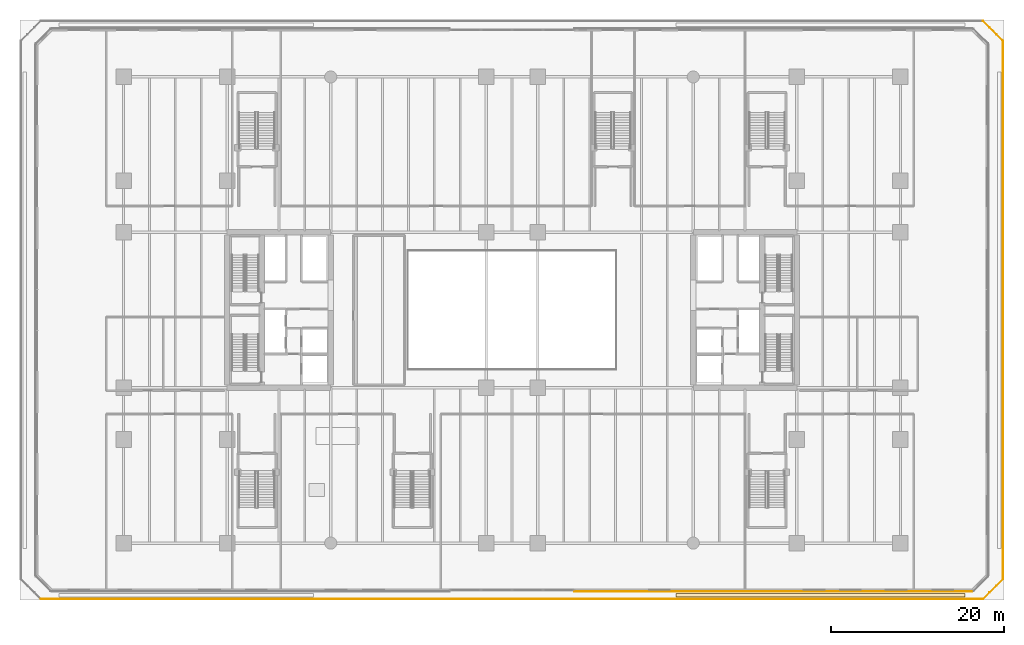
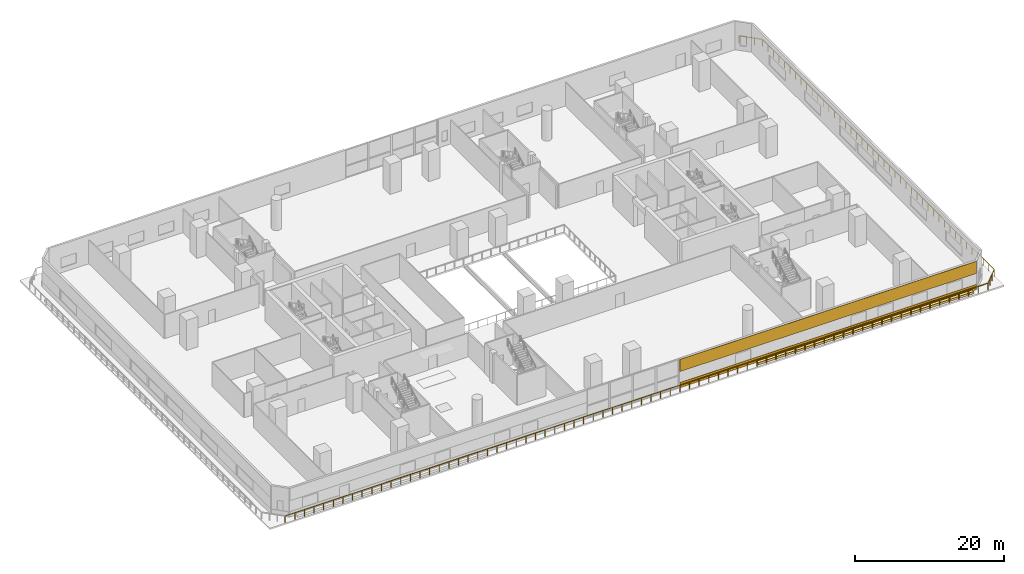
# One storey, part 21 of 24: 3 coverings, 1 railing.
"""IFC4 building model written with IfcOpenShell, lengths in metres."""

from ifc_helpers import new_model, si_unit, direction, frame, origin, origin_2d, place, context, subcontext, project, spatial, polyline, rectangle, outline, extrude, material, layer, layer_set, type_object, element, save


model = new_model("IFC4")

# Units and contexts
model_context = context("Model", 3, precision=1e-05, world=origin(), true_north=direction((0.0, 1.0)))
body_context = subcontext(model_context, "Body", "Model", "MODEL_VIEW")
ifc_project = project(units=[si_unit("LENGTHUNIT", "METRE"), si_unit("AREAUNIT", "SQUARE_METRE"), si_unit("VOLUMEUNIT", "CUBIC_METRE"), si_unit("PLANEANGLEUNIT", "RADIAN"), si_unit("MASSUNIT", "GRAM", prefix="KILO")], contexts=[model_context])

# Site, building, storey
site_placement = place(None, origin())
site = spatial("IfcSite", under=ifc_project, at=site_placement, CompositionType="ELEMENT")
building_placement = place(site_placement, origin())
building = spatial("IfcBuilding", under=site, at=building_placement, Name="Tanjung Sevakor Pilgrim Tower", CompositionType="ELEMENT")
storey_placement = place(building_placement, frame((0.0, 0.0, 4.949951171875)))
storey = spatial("IfcBuildingStorey", under=building, at=storey_placement, Name="L02", CompositionType="ELEMENT", Elevation=4.949951171875)

# Coverings
ifc_material_1 = material(Name="Reconstructed Limestone Cladding", Category="masonry")
ifc_layer_1 = layer(ifc_material_1, 0.044921875)
ifc_layer_set_1 = layer_set([ifc_layer_1], Name="COV-CLAD-LIMESTONE")
covering_type_1 = type_object("IfcCoveringType", Name="COV-CLAD-LIMESTONE", PredefinedType="CLADDING", material=ifc_layer_set_1)
covering_1_placement = place(storey_placement, frame((87.26904296875, 0.9775390625, 0.009765625), z_axis=(0.0, 0.0, 1.0), x_axis=(1.0, 0.0, 0.0)))
element("IfcCovering", 1, at=covering_1_placement, inside=storey, type_object=covering_type_1, Name="L02 Warm Limestone Sill Spandrel EW-L02-S2-1", PredefinedType="CLADDING", context=body_context, shape_type="SweptSolid", body=[
    extrude(rectangle(XDim=46.057861328125, YDim=0.044921875, at=origin_2d()), origin(), (0.0, 0.0, 1.0), 0.840087890625),
])
covering_2_placement = place(storey_placement, frame((87.26904296875, 0.9775390625, 2.66015625), z_axis=(0.0, 0.0, 1.0), x_axis=(1.0, 0.0, 0.0)))
element("IfcCovering", 2, at=covering_2_placement, inside=storey, type_object=covering_type_1, Name="L02 Warm Limestone Cornice Spandrel EW-L02-S2", PredefinedType="CLADDING", context=body_context, shape_type="SweptSolid", body=[
    extrude(rectangle(XDim=46.097900390625, YDim=0.044921875, at=origin_2d()), origin(), (0.0, 0.0, 1.0), 2.0),
])
ifc_material_2 = material(Name="Vegetated Modular Planter Assembly", Category="organic")
ifc_layer_2 = layer(ifc_material_2, 0.35009765625)
ifc_layer_set_2 = layer_set([ifc_layer_2], Name="COV-GRN-TROUGH")
covering_type_2 = type_object("IfcCoveringType", Name="COV-GRN-TROUGH", PredefinedType="CLADDING", material=ifc_layer_set_2)
covering_3_placement = place(storey_placement, origin())
element("IfcCovering", 3, at=covering_3_placement, inside=storey, type_object=covering_type_2, Name="L02 Planted Landscape Hedge Trough PGRN-L02-SE", PredefinedType="CLADDING", context=body_context, shape_type="SweptSolid", body=[
    extrude(outline(polyline([(76.0, 0.330078125), (109.5, 0.330078125), (109.5, 0.77001953125), (76.0, 0.77001953125), (76.0, 0.330078125)])), origin(), (0.0, 0.0, 1.0), 0.35009765625),
])

# Railing
ifc_material_3 = material(Name="Steel S355J2", Category="steel")
railing_type = type_object("IfcRailingType", Name="RL-EXT-GUARD", PredefinedType="GUARDRAIL", material=ifc_material_3)
railing_placement = place(storey_placement, frame((2.44140625, 0.10009765625, 0.0)))
element("IfcRailing", 4, at=railing_placement, inside=storey, type_object=railing_type, Name="L02 Terrace Perimeter Guardrail GR-PODTER-L02-1", PredefinedType="GUARDRAIL", context=body_context, shape_type="SweptSolid", body=[
    extrude(rectangle(XDim=0.0479, YDim=0.0479), frame((0.0, 0.0, 1.1259765625), z_axis=(1.0, 0.0, 0.0), x_axis=(0.0, 1.0, 0.0)), (0.0, 0.0, 1.0), 109.1171875),
    extrude(rectangle(XDim=0.0479, YDim=0.0479), frame((109.1171875, 0.0, 1.1259765625), z_axis=(0.707106781187, 0.707106781187, 0.0), x_axis=(-0.707106781187, 0.707106781187, 0.0)), (0.0, 0.0, 1.0), 3.31103515625),
    extrude(rectangle(XDim=0.0479, YDim=0.0479), frame((111.45849609375, 2.34130859375, 1.1259765625), z_axis=(0.0, 1.0, 0.0), x_axis=(-1.0, 0.0, 0.0)), (0.0, 0.0, 1.0), 62.317138671875),
    extrude(rectangle(XDim=0.0479, YDim=0.0479), frame((111.45849609375, 64.658447265625, 1.1259765625), z_axis=(-0.707069915266, 0.707143645185, 0.0), x_axis=(-0.707143645185, -0.707069915266, 0.0)), (0.0, 0.0, 1.0), 3.311279296875),
    extrude(rectangle(XDim=0.042, YDim=0.042), origin(), (0.0, 0.0, 1.0), 1.101806640625),
    extrude(rectangle(XDim=0.042, YDim=0.042), frame((1.494873046875, 0.0, 0.0)), (0.0, 0.0, 1.0), 1.101806640625),
    extrude(rectangle(XDim=0.042, YDim=0.042), frame((2.989501953125, 0.0, 0.0)), (0.0, 0.0, 1.0), 1.101806640625),
    extrude(rectangle(XDim=0.042, YDim=0.042), frame((4.484375, 0.0, 0.0)), (0.0, 0.0, 1.0), 1.101806640625),
    extrude(rectangle(XDim=0.042, YDim=0.042), frame((5.97900390625, 0.0, 0.0)), (0.0, 0.0, 1.0), 1.101806640625),
    extrude(rectangle(XDim=0.042, YDim=0.042), frame((7.473876953125, 0.0, 0.0)), (0.0, 0.0, 1.0), 1.101806640625),
    extrude(rectangle(XDim=0.042, YDim=0.042), frame((8.968505859375, 0.0, 0.0)), (0.0, 0.0, 1.0), 1.101806640625),
    extrude(rectangle(XDim=0.042, YDim=0.042), frame((10.46337890625, 0.0, 0.0)), (0.0, 0.0, 1.0), 1.101806640625),
    extrude(rectangle(XDim=0.042, YDim=0.042), frame((11.9580078125, 0.0, 0.0)), (0.0, 0.0, 1.0), 1.101806640625),
    extrude(rectangle(XDim=0.042, YDim=0.042), frame((13.452880859375, 0.0, 0.0)), (0.0, 0.0, 1.0), 1.101806640625),
    extrude(rectangle(XDim=0.042, YDim=0.042), frame((14.947509765625, 0.0, 0.0)), (0.0, 0.0, 1.0), 1.101806640625),
    extrude(rectangle(XDim=0.042, YDim=0.042), frame((16.4423828125, 0.0, 0.0)), (0.0, 0.0, 1.0), 1.101806640625),
    extrude(rectangle(XDim=0.042, YDim=0.042), frame((17.93701171875, 0.0, 0.0)), (0.0, 0.0, 1.0), 1.101806640625),
    extrude(rectangle(XDim=0.042, YDim=0.042), frame((19.431884765625, 0.0, 0.0)), (0.0, 0.0, 1.0), 1.101806640625),
    extrude(rectangle(XDim=0.042, YDim=0.042), frame((20.926513671875, 0.0, 0.0)), (0.0, 0.0, 1.0), 1.101806640625),
    extrude(rectangle(XDim=0.042, YDim=0.042), frame((22.42138671875, 0.0, 0.0)), (0.0, 0.0, 1.0), 1.101806640625),
    extrude(rectangle(XDim=0.042, YDim=0.042), frame((23.916015625, 0.0, 0.0)), (0.0, 0.0, 1.0), 1.101806640625),
    extrude(rectangle(XDim=0.042, YDim=0.042), frame((25.410888671875, 0.0, 0.0)), (0.0, 0.0, 1.0), 1.101806640625),
    extrude(rectangle(XDim=0.042, YDim=0.042), frame((26.905517578125, 0.0, 0.0)), (0.0, 0.0, 1.0), 1.101806640625),
    extrude(rectangle(XDim=0.042, YDim=0.042), frame((28.400390625, 0.0, 0.0)), (0.0, 0.0, 1.0), 1.101806640625),
    extrude(rectangle(XDim=0.042, YDim=0.042), frame((29.89501953125, 0.0, 0.0)), (0.0, 0.0, 1.0), 1.101806640625),
    extrude(rectangle(XDim=0.042, YDim=0.042), frame((31.389892578125, 0.0, 0.0)), (0.0, 0.0, 1.0), 1.101806640625),
    extrude(rectangle(XDim=0.042, YDim=0.042), frame((32.884521484375, 0.0, 0.0)), (0.0, 0.0, 1.0), 1.101806640625),
    extrude(rectangle(XDim=0.042, YDim=0.042), frame((34.37939453125, 0.0, 0.0)), (0.0, 0.0, 1.0), 1.101806640625),
    extrude(rectangle(XDim=0.042, YDim=0.042), frame((35.8740234375, 0.0, 0.0)), (0.0, 0.0, 1.0), 1.101806640625),
    extrude(rectangle(XDim=0.042, YDim=0.042), frame((37.368896484375, 0.0, 0.0)), (0.0, 0.0, 1.0), 1.101806640625),
    extrude(rectangle(XDim=0.042, YDim=0.042), frame((38.86376953125, 0.0, 0.0)), (0.0, 0.0, 1.0), 1.101806640625),
    extrude(rectangle(XDim=0.042, YDim=0.042), frame((40.3583984375, 0.0, 0.0)), (0.0, 0.0, 1.0), 1.101806640625),
    extrude(rectangle(XDim=0.042, YDim=0.042), frame((41.853271484375, 0.0, 0.0)), (0.0, 0.0, 1.0), 1.101806640625),
    extrude(rectangle(XDim=0.042, YDim=0.042), frame((43.347900390625, 0.0, 0.0)), (0.0, 0.0, 1.0), 1.101806640625),
    extrude(rectangle(XDim=0.042, YDim=0.042), frame((44.8427734375, 0.0, 0.0)), (0.0, 0.0, 1.0), 1.101806640625),
    extrude(rectangle(XDim=0.042, YDim=0.042), frame((46.33740234375, 0.0, 0.0)), (0.0, 0.0, 1.0), 1.101806640625),
    extrude(rectangle(XDim=0.042, YDim=0.042), frame((47.832275390625, 0.0, 0.0)), (0.0, 0.0, 1.0), 1.101806640625),
    extrude(rectangle(XDim=0.042, YDim=0.042), frame((49.326904296875, 0.0, 0.0)), (0.0, 0.0, 1.0), 1.101806640625),
    extrude(rectangle(XDim=0.042, YDim=0.042), frame((50.82177734375, 0.0, 0.0)), (0.0, 0.0, 1.0), 1.101806640625),
    extrude(rectangle(XDim=0.042, YDim=0.042), frame((52.31640625, 0.0, 0.0)), (0.0, 0.0, 1.0), 1.101806640625),
    extrude(rectangle(XDim=0.042, YDim=0.042), frame((53.811279296875, 0.0, 0.0)), (0.0, 0.0, 1.0), 1.101806640625),
    extrude(rectangle(XDim=0.042, YDim=0.042), frame((55.305908203125, 0.0, 0.0)), (0.0, 0.0, 1.0), 1.101806640625),
    extrude(rectangle(XDim=0.042, YDim=0.042), frame((56.80078125, 0.0, 0.0)), (0.0, 0.0, 1.0), 1.101806640625),
    extrude(rectangle(XDim=0.042, YDim=0.042), frame((58.29541015625, 0.0, 0.0)), (0.0, 0.0, 1.0), 1.101806640625),
    extrude(rectangle(XDim=0.042, YDim=0.042), frame((59.790283203125, 0.0, 0.0)), (0.0, 0.0, 1.0), 1.101806640625),
    extrude(rectangle(XDim=0.042, YDim=0.042), frame((61.284912109375, 0.0, 0.0)), (0.0, 0.0, 1.0), 1.101806640625),
    extrude(rectangle(XDim=0.042, YDim=0.042), frame((62.77978515625, 0.0, 0.0)), (0.0, 0.0, 1.0), 1.101806640625),
    extrude(rectangle(XDim=0.042, YDim=0.042), frame((64.2744140625, 0.0, 0.0)), (0.0, 0.0, 1.0), 1.101806640625),
    extrude(rectangle(XDim=0.042, YDim=0.042), frame((65.769287109375, 0.0, 0.0)), (0.0, 0.0, 1.0), 1.101806640625),
    extrude(rectangle(XDim=0.042, YDim=0.042), frame((67.263916015625, 0.0, 0.0)), (0.0, 0.0, 1.0), 1.101806640625),
    extrude(rectangle(XDim=0.042, YDim=0.042), frame((68.7587890625, 0.0, 0.0)), (0.0, 0.0, 1.0), 1.101806640625),
    extrude(rectangle(XDim=0.042, YDim=0.042), frame((70.25341796875, 0.0, 0.0)), (0.0, 0.0, 1.0), 1.101806640625),
    extrude(rectangle(XDim=0.042, YDim=0.042), frame((71.748291015625, 0.0, 0.0)), (0.0, 0.0, 1.0), 1.101806640625),
    extrude(rectangle(XDim=0.042, YDim=0.042), frame((73.2431640625, 0.0, 0.0)), (0.0, 0.0, 1.0), 1.101806640625),
    extrude(rectangle(XDim=0.042, YDim=0.042), frame((74.73779296875, 0.0, 0.0)), (0.0, 0.0, 1.0), 1.101806640625),
    extrude(rectangle(XDim=0.042, YDim=0.042), frame((76.232666015625, 0.0, 0.0)), (0.0, 0.0, 1.0), 1.101806640625),
    extrude(rectangle(XDim=0.042, YDim=0.042), frame((77.727294921875, 0.0, 0.0)), (0.0, 0.0, 1.0), 1.101806640625),
    extrude(rectangle(XDim=0.042, YDim=0.042), frame((79.22216796875, 0.0, 0.0)), (0.0, 0.0, 1.0), 1.101806640625),
    extrude(rectangle(XDim=0.042, YDim=0.042), frame((80.716796875, 0.0, 0.0)), (0.0, 0.0, 1.0), 1.101806640625),
    extrude(rectangle(XDim=0.042, YDim=0.042), frame((82.211669921875, 0.0, 0.0)), (0.0, 0.0, 1.0), 1.101806640625),
    extrude(rectangle(XDim=0.042, YDim=0.042), frame((83.706298828125, 0.0, 0.0)), (0.0, 0.0, 1.0), 1.101806640625),
    extrude(rectangle(XDim=0.042, YDim=0.042), frame((85.201171875, 0.0, 0.0)), (0.0, 0.0, 1.0), 1.101806640625),
    extrude(rectangle(XDim=0.042, YDim=0.042), frame((86.69580078125, 0.0, 0.0)), (0.0, 0.0, 1.0), 1.101806640625),
    extrude(rectangle(XDim=0.042, YDim=0.042), frame((88.190673828125, 0.0, 0.0)), (0.0, 0.0, 1.0), 1.101806640625),
    extrude(rectangle(XDim=0.042, YDim=0.042), frame((89.685302734375, 0.0, 0.0)), (0.0, 0.0, 1.0), 1.101806640625),
    extrude(rectangle(XDim=0.042, YDim=0.042), frame((91.18017578125, 0.0, 0.0)), (0.0, 0.0, 1.0), 1.101806640625),
    extrude(rectangle(XDim=0.042, YDim=0.042), frame((92.6748046875, 0.0, 0.0)), (0.0, 0.0, 1.0), 1.101806640625),
    extrude(rectangle(XDim=0.042, YDim=0.042), frame((94.169677734375, 0.0, 0.0)), (0.0, 0.0, 1.0), 1.101806640625),
    extrude(rectangle(XDim=0.042, YDim=0.042), frame((95.664306640625, 0.0, 0.0)), (0.0, 0.0, 1.0), 1.101806640625),
    extrude(rectangle(XDim=0.042, YDim=0.042), frame((97.1591796875, 0.0, 0.0)), (0.0, 0.0, 1.0), 1.101806640625),
    extrude(rectangle(XDim=0.042, YDim=0.042), frame((98.65380859375, 0.0, 0.0)), (0.0, 0.0, 1.0), 1.101806640625),
    extrude(rectangle(XDim=0.042, YDim=0.042), frame((100.148681640625, 0.0, 0.0)), (0.0, 0.0, 1.0), 1.101806640625),
    extrude(rectangle(XDim=0.042, YDim=0.042), frame((101.643310546875, 0.0, 0.0)), (0.0, 0.0, 1.0), 1.101806640625),
    extrude(rectangle(XDim=0.042, YDim=0.042), frame((103.13818359375, 0.0, 0.0)), (0.0, 0.0, 1.0), 1.101806640625),
    extrude(rectangle(XDim=0.042, YDim=0.042), frame((104.6328125, 0.0, 0.0)), (0.0, 0.0, 1.0), 1.101806640625),
    extrude(rectangle(XDim=0.042, YDim=0.042), frame((106.127685546875, 0.0, 0.0)), (0.0, 0.0, 1.0), 1.101806640625),
    extrude(rectangle(XDim=0.042, YDim=0.042), frame((107.622314453125, 0.0, 0.0)), (0.0, 0.0, 1.0), 1.101806640625),
    extrude(rectangle(XDim=0.042, YDim=0.042), frame((109.1171875, 0.0, 0.0)), (0.0, 0.0, 1.0), 1.101806640625),
    extrude(rectangle(XDim=0.042, YDim=0.042), frame((109.897705078125, 0.780517578125, 0.0)), (0.0, 0.0, 1.0), 1.101806640625),
    extrude(rectangle(XDim=0.042, YDim=0.042), frame((110.677978515625, 1.560791015625, 0.0)), (0.0, 0.0, 1.0), 1.101806640625),
    extrude(rectangle(XDim=0.042, YDim=0.042), frame((111.45849609375, 2.34130859375, 0.0)), (0.0, 0.0, 1.0), 1.101806640625),
    extrude(rectangle(XDim=0.042, YDim=0.042), frame((111.45849609375, 3.824951171875, 0.0)), (0.0, 0.0, 1.0), 1.101806640625),
    extrude(rectangle(XDim=0.042, YDim=0.042), frame((111.45849609375, 5.308837890625, 0.0)), (0.0, 0.0, 1.0), 1.101806640625),
    extrude(rectangle(XDim=0.042, YDim=0.042), frame((111.45849609375, 6.79248046875, 0.0)), (0.0, 0.0, 1.0), 1.101806640625),
    extrude(rectangle(XDim=0.042, YDim=0.042), frame((111.45849609375, 8.2763671875, 0.0)), (0.0, 0.0, 1.0), 1.101806640625),
    extrude(rectangle(XDim=0.042, YDim=0.042), frame((111.45849609375, 9.760009765625, 0.0)), (0.0, 0.0, 1.0), 1.101806640625),
    extrude(rectangle(XDim=0.042, YDim=0.042), frame((111.45849609375, 11.24365234375, 0.0)), (0.0, 0.0, 1.0), 1.101806640625),
    extrude(rectangle(XDim=0.042, YDim=0.042), frame((111.45849609375, 12.7275390625, 0.0)), (0.0, 0.0, 1.0), 1.101806640625),
    extrude(rectangle(XDim=0.042, YDim=0.042), frame((111.45849609375, 14.211181640625, 0.0)), (0.0, 0.0, 1.0), 1.101806640625),
    extrude(rectangle(XDim=0.042, YDim=0.042), frame((111.45849609375, 15.695068359375, 0.0)), (0.0, 0.0, 1.0), 1.101806640625),
    extrude(rectangle(XDim=0.042, YDim=0.042), frame((111.45849609375, 17.1787109375, 0.0)), (0.0, 0.0, 1.0), 1.101806640625),
    extrude(rectangle(XDim=0.042, YDim=0.042), frame((111.45849609375, 18.662353515625, 0.0)), (0.0, 0.0, 1.0), 1.101806640625),
    extrude(rectangle(XDim=0.042, YDim=0.042), frame((111.45849609375, 20.146240234375, 0.0)), (0.0, 0.0, 1.0), 1.101806640625),
    extrude(rectangle(XDim=0.042, YDim=0.042), frame((111.45849609375, 21.6298828125, 0.0)), (0.0, 0.0, 1.0), 1.101806640625),
    extrude(rectangle(XDim=0.042, YDim=0.042), frame((111.45849609375, 23.11376953125, 0.0)), (0.0, 0.0, 1.0), 1.101806640625),
    extrude(rectangle(XDim=0.042, YDim=0.042), frame((111.45849609375, 24.597412109375, 0.0)), (0.0, 0.0, 1.0), 1.101806640625),
    extrude(rectangle(XDim=0.042, YDim=0.042), frame((111.45849609375, 26.0810546875, 0.0)), (0.0, 0.0, 1.0), 1.101806640625),
    extrude(rectangle(XDim=0.042, YDim=0.042), frame((111.45849609375, 27.56494140625, 0.0)), (0.0, 0.0, 1.0), 1.101806640625),
    extrude(rectangle(XDim=0.042, YDim=0.042), frame((111.45849609375, 29.048583984375, 0.0)), (0.0, 0.0, 1.0), 1.101806640625),
    extrude(rectangle(XDim=0.042, YDim=0.042), frame((111.45849609375, 30.532470703125, 0.0)), (0.0, 0.0, 1.0), 1.101806640625),
    extrude(rectangle(XDim=0.042, YDim=0.042), frame((111.45849609375, 32.01611328125, 0.0)), (0.0, 0.0, 1.0), 1.101806640625),
    extrude(rectangle(XDim=0.042, YDim=0.042), frame((111.45849609375, 33.5, 0.0)), (0.0, 0.0, 1.0), 1.101806640625),
    extrude(rectangle(XDim=0.042, YDim=0.042), frame((111.45849609375, 34.983642578125, 0.0)), (0.0, 0.0, 1.0), 1.101806640625),
    extrude(rectangle(XDim=0.042, YDim=0.042), frame((111.45849609375, 36.46728515625, 0.0)), (0.0, 0.0, 1.0), 1.101806640625),
    extrude(rectangle(XDim=0.042, YDim=0.042), frame((111.45849609375, 37.951171875, 0.0)), (0.0, 0.0, 1.0), 1.101806640625),
    extrude(rectangle(XDim=0.042, YDim=0.042), frame((111.45849609375, 39.434814453125, 0.0)), (0.0, 0.0, 1.0), 1.101806640625),
    extrude(rectangle(XDim=0.042, YDim=0.042), frame((111.45849609375, 40.918701171875, 0.0)), (0.0, 0.0, 1.0), 1.101806640625),
    extrude(rectangle(XDim=0.042, YDim=0.042), frame((111.45849609375, 42.40234375, 0.0)), (0.0, 0.0, 1.0), 1.101806640625),
    extrude(rectangle(XDim=0.042, YDim=0.042), frame((111.45849609375, 43.885986328125, 0.0)), (0.0, 0.0, 1.0), 1.101806640625),
    extrude(rectangle(XDim=0.042, YDim=0.042), frame((111.45849609375, 45.369873046875, 0.0)), (0.0, 0.0, 1.0), 1.101806640625),
    extrude(rectangle(XDim=0.042, YDim=0.042), frame((111.45849609375, 46.853515625, 0.0)), (0.0, 0.0, 1.0), 1.101806640625),
    extrude(rectangle(XDim=0.042, YDim=0.042), frame((111.45849609375, 48.33740234375, 0.0)), (0.0, 0.0, 1.0), 1.101806640625),
    extrude(rectangle(XDim=0.042, YDim=0.042), frame((111.45849609375, 49.821044921875, 0.0)), (0.0, 0.0, 1.0), 1.101806640625),
    extrude(rectangle(XDim=0.042, YDim=0.042), frame((111.45849609375, 51.3046875, 0.0)), (0.0, 0.0, 1.0), 1.101806640625),
    extrude(rectangle(XDim=0.042, YDim=0.042), frame((111.45849609375, 52.78857421875, 0.0)), (0.0, 0.0, 1.0), 1.101806640625),
    extrude(rectangle(XDim=0.042, YDim=0.042), frame((111.45849609375, 54.272216796875, 0.0)), (0.0, 0.0, 1.0), 1.101806640625),
    extrude(rectangle(XDim=0.042, YDim=0.042), frame((111.45849609375, 55.756103515625, 0.0)), (0.0, 0.0, 1.0), 1.101806640625),
    extrude(rectangle(XDim=0.042, YDim=0.042), frame((111.45849609375, 57.23974609375, 0.0)), (0.0, 0.0, 1.0), 1.101806640625),
    extrude(rectangle(XDim=0.042, YDim=0.042), frame((111.45849609375, 58.723388671875, 0.0)), (0.0, 0.0, 1.0), 1.101806640625),
    extrude(rectangle(XDim=0.042, YDim=0.042), frame((111.45849609375, 60.207275390625, 0.0)), (0.0, 0.0, 1.0), 1.101806640625),
    extrude(rectangle(XDim=0.042, YDim=0.042), frame((111.45849609375, 61.69091796875, 0.0)), (0.0, 0.0, 1.0), 1.101806640625),
    extrude(rectangle(XDim=0.042, YDim=0.042), frame((111.45849609375, 63.1748046875, 0.0)), (0.0, 0.0, 1.0), 1.101806640625),
    extrude(rectangle(XDim=0.042, YDim=0.042), frame((111.45849609375, 64.658447265625, 0.0)), (0.0, 0.0, 1.0), 1.101806640625),
    extrude(rectangle(XDim=0.042, YDim=0.042), frame((110.677978515625, 65.43896484375, 0.0)), (0.0, 0.0, 1.0), 1.101806640625),
    extrude(rectangle(XDim=0.042, YDim=0.042), frame((109.897705078125, 66.219482421875, 0.0)), (0.0, 0.0, 1.0), 1.101806640625),
    extrude(rectangle(XDim=0.042, YDim=0.042), frame((109.1171875, 67.0, 0.0)), (0.0, 0.0, 1.0), 1.101806640625),
])

save(model, "model.ifc")
